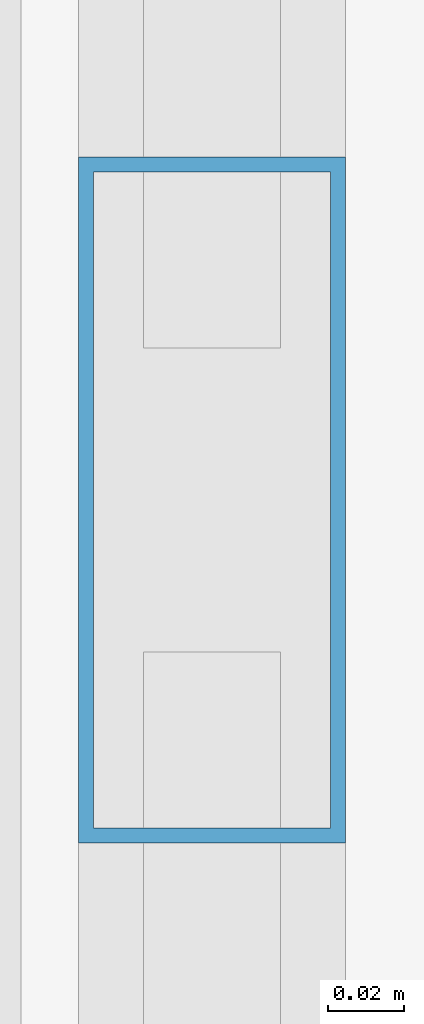
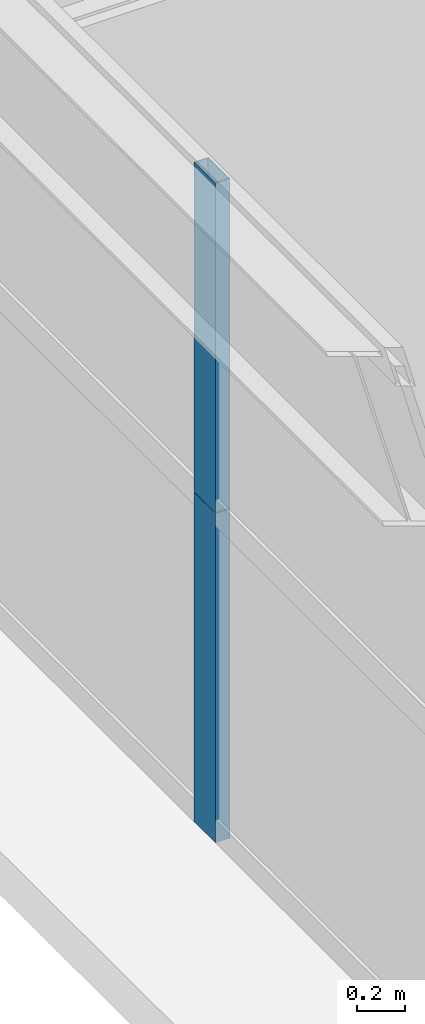
# One storey, part 7 of 37: 2 members, 1 element without a shape of its own.
"""IFC4 building model written with IfcOpenShell, lengths in metres."""

from ifc_helpers import new_model, si_unit, direction, frame, origin, origin_2d, place, context, subcontext, project, spatial, hollow_rectangle, extrude, source, transform, mapped, material, layer, layer_set, material_profile, profile_set, type_object, element, aggregate, save


model = new_model("IFC4")

# Units and contexts
model_context = context("Model", 3, precision=1e-05, world=origin(), true_north=direction((0.0, 1.0)))
body_context = subcontext(model_context, "Body", "Model", "MODEL_VIEW")
ifc_project = project(units=[si_unit("LENGTHUNIT", "METRE"), si_unit("AREAUNIT", "SQUARE_METRE"), si_unit("VOLUMEUNIT", "CUBIC_METRE"), si_unit("PLANEANGLEUNIT", "RADIAN"), si_unit("MASSUNIT", "GRAM", prefix="KILO"), si_unit("THERMODYNAMICTEMPERATUREUNIT", "KELVIN"), si_unit("POWERUNIT", "WATT")], contexts=[model_context])

# Site, building, storey
site_placement = place(None, origin())
site = spatial("IfcSite", under=ifc_project, at=site_placement, CompositionType="ELEMENT")
building_placement = place(site_placement, origin())
building = spatial("IfcBuilding", under=site, at=building_placement, Name="Yuzanri Waterfront Tower", CompositionType="ELEMENT")
storey_placement = place(building_placement, frame((0.0, 0.0, 104.60009765625)))
storey = spatial("IfcBuildingStorey", under=building, at=storey_placement, Name="L27", CompositionType="ELEMENT", Elevation=104.60009765625)

# Curtain wall, members
ifc_material_1 = material(Name="Anodized Architectural Bronze", Category="metal")
ifc_layer = layer(ifc_material_1, 0.159912109375)
ifc_layer_set = layer_set([ifc_layer], Name="Anodized Architectural Bronze")
curtain_wall_type = type_object("IfcCurtainWallType", Name="Anodized Bronze Hotel Upper-Tier Solar-Control Unitized Curtain Wall 7800", PredefinedType="NOTDEFINED", material=ifc_layer_set)
curtain_wall_placement = place(storey_placement, origin())
curtain_wall = element("IfcCurtainWall", 1, at=curtain_wall_placement, inside=storey, type_object=curtain_wall_type, Name="L27 Curtain Wall CW-L27-WL", PredefinedType="NOTDEFINED")
ifc_material_2 = material(Name="Anodized Architectural Bronze", Category="metal")
ifc_material_profile = material_profile(ifc_material_2, hollow_rectangle(XDim=0.070068359375, YDim=0.179931640625, WallThickness=0.00390625, at=origin_2d()), Name="CWM 70x180")
ifc_profile_set = profile_set([ifc_material_profile], Name="Anodized Architectural Bronze")
member_type = type_object("IfcMemberType", Name="Anodized Bronze Standard Curtain-Wall Mullion 70x180", PredefinedType="MULLION", material=ifc_profile_set)
shared_shape = source(origin(), body_context, "Body", "SweptSolid", [
    extrude(hollow_rectangle(XDim=0.070068359375, YDim=0.179931640625, WallThickness=0.00390625, at=origin_2d()), origin(), (0.0, 0.0, 1.0), 1.68798828125),
])
member_1_placement = place(storey_placement, frame((13.550048828125, 17.449951171875, 0.0), z_axis=(0.0, 0.0, 1.0), x_axis=(1.0, 0.0, 0.0)))
member_1 = element("IfcMember", 2, at=member_1_placement, type_object=member_type, Name="CW-L27-WL Lower Mullion 01", PredefinedType="MULLION", context=body_context, shape_type="MappedRepresentation", body=[
    mapped(shared_shape, transform((0.0, 0.0, 0.0), scale=1.0)),
])
member_2_placement = place(storey_placement, frame((13.550048828125, 17.449951171875, 1.69189453125), z_axis=(0.0, 0.0, 1.0), x_axis=(1.0, 0.0, 0.0)))
member_2 = element("IfcMember", 3, at=member_2_placement, type_object=member_type, Name="CW-L27-WL Upper Mullion 01", PredefinedType="MULLION", context=body_context, shape_type="MappedRepresentation", body=[
    mapped(shared_shape, transform((0.0, 0.0, 0.0), scale=1.0)),
])
aggregate(curtain_wall, [member_1, member_2])

save(model, "model.ifc")
